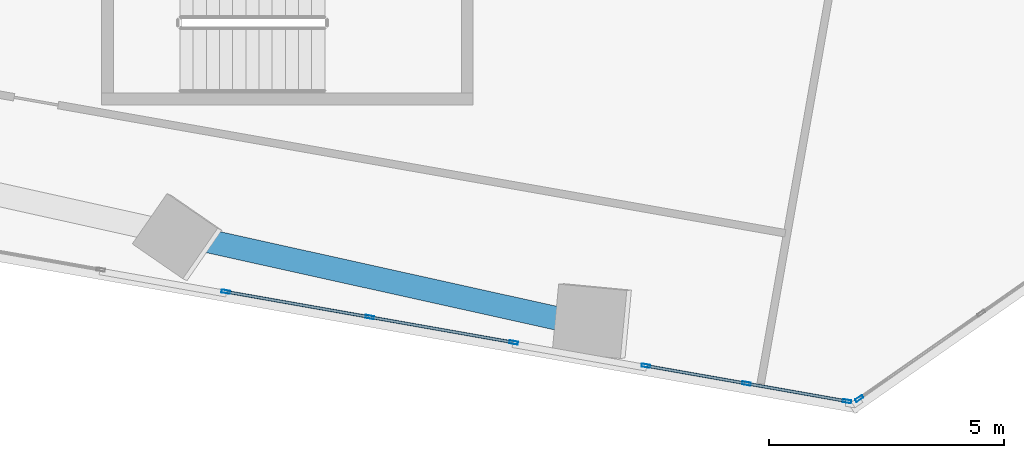
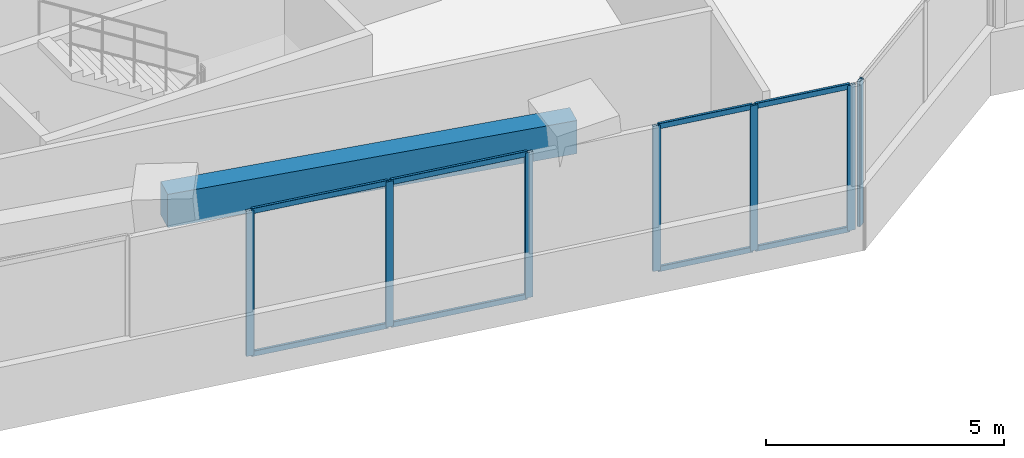
# One storey, part 4 of 24: 15 members, 1 beam, 3 elements without a shape of their own.
"""IFC4 building model written with IfcOpenShell, lengths in metres."""

import ifcopenshell
import ifcopenshell.guid

model = None  # the IFC model being written
_history = None  # IfcOwnerHistory: only IFC2X3 demands one
_inside = {}  # id of a spatial element -> (the spatial element, [elements in it])
_under = {}  # id of a project, library or spatial element -> (it, [spatial elements below it])
_declared = {}  # id of a project -> (the project, [libraries it declares])
_typed = {}  # id of a type object -> (the type object, [elements of that type])
_made_of = {}  # id of a material, layer set ... -> (it, [elements and type objects made of it])


def new_model(schema):
    """Start an empty IFC model of exactly this schema.

    Asked for "IFC4X3", IfcOpenShell would pick the latest addendum, in which some entities
    have other attributes; the version numbers below select the first issue.
    IFC2X3 requires an IfcOwnerHistory on every rooted entity: one is made here for all.
    """
    global model, _history
    if schema == "IFC4X3":
        model = ifcopenshell.file(schema_version=(4, 3, 0, 0))
    else:
        model = ifcopenshell.file(schema=schema)
    _inside.clear()
    _under.clear()
    _declared.clear()
    _typed.clear()
    _made_of.clear()
    _history = None
    if model.schema == "IFC2X3":
        org = make("IfcOrganization", Name="unknown")
        user = make(
            "IfcPersonAndOrganization",
            ThePerson=make("IfcPerson", FamilyName="unknown"),
            TheOrganization=org,
        )
        app = make(
            "IfcApplication",
            ApplicationDeveloper=org,
            Version="unknown",
            ApplicationFullName="unknown",
            ApplicationIdentifier="unknown",
        )
        _history = make(
            "IfcOwnerHistory",
            OwningUser=user,
            OwningApplication=app,
            ChangeAction="ADDED",
            CreationDate=0,
        )
    return model


def make(cls, **values):
    """One entity of the class cls with the attributes given. An attribute that is None is left unset."""
    return model.create_entity(
        cls, **{name: value for name, value in values.items() if value is not None}
    )


def rooted(cls, **values):
    """An entity with a GlobalId (a new one), such as an element, a storey or a relation."""
    return make(cls, GlobalId=ifcopenshell.guid.new(), OwnerHistory=_history, **values)


def si_unit(unit_type, name, prefix=None):
    """IfcSIUnit, for example si_unit("LENGTHUNIT", "METRE", prefix="MILLI")."""
    return make("IfcSIUnit", UnitType=unit_type, Prefix=prefix, Name=name)


def assignment(units):
    """IfcUnitAssignment: the units of a project."""
    return None if units is None else make("IfcUnitAssignment", Units=units)


def point(xyz):
    """IfcCartesianPoint."""
    return None if xyz is None else make("IfcCartesianPoint", Coordinates=xyz)


def direction(xyz):
    """IfcDirection."""
    return None if xyz is None else make("IfcDirection", DirectionRatios=xyz)


def frame(location, z_axis=None, x_axis=None):
    """IfcAxis2Placement3D, a coordinate frame: its origin and axes. An axis left out is left unset."""
    return make(
        "IfcAxis2Placement3D",
        Location=point(location),
        Axis=direction(z_axis),
        RefDirection=direction(x_axis),
    )


def frame_2d(location, x_axis=None):
    """IfcAxis2Placement2D, a coordinate frame in the plane: its origin and x axis."""
    return make(
        "IfcAxis2Placement2D", Location=point(location), RefDirection=direction(x_axis)
    )


def origin():
    """The frame at (0, 0, 0) with its axes left unset."""
    return frame((0.0, 0.0, 0.0))


def origin_2d():
    """The frame at (0, 0) in the plane with its x axis left unset."""
    return frame_2d((0.0, 0.0))


def place(relative_to, where):
    """IfcLocalPlacement: puts the frame where relative to a parent placement (None: the world)."""
    return make(
        "IfcLocalPlacement", PlacementRelTo=relative_to, RelativePlacement=where
    )


def context(
    kind, dimensions, precision=None, world=None, true_north=None, identifier=None
):
    """IfcGeometricRepresentationContext, for example the 3D "Model" context."""
    return make(
        "IfcGeometricRepresentationContext",
        ContextIdentifier=identifier,
        ContextType=kind,
        CoordinateSpaceDimension=dimensions,
        Precision=precision,
        WorldCoordinateSystem=world,
        TrueNorth=true_north,
    )


def subcontext(parent, identifier, kind, view, scale=None):
    """IfcGeometricRepresentationSubContext, for example "Body" below "Model"."""
    return make(
        "IfcGeometricRepresentationSubContext",
        ContextIdentifier=identifier,
        ContextType=kind,
        ParentContext=parent,
        TargetScale=scale,
        TargetView=view,
    )


def project(units=None, contexts=None):
    """IfcProject with its units and contexts."""
    return rooted(
        "IfcProject",
        Name="project",
        RepresentationContexts=contexts,
        UnitsInContext=assignment(units),
    )


def spatial(cls, under=None, at=None, **own):
    """A site, building, storey or space (cls), placed at a placement, below another one or the project."""
    s = rooted(cls, ObjectPlacement=at, **own)
    if under is not None:
        _under.setdefault(under.id(), (under, []))[1].append(s)
    return s


def profile(cls, at=None, kind="AREA", **sizes):
    """A parametric profile (cls). Its sizes go by their IFC names, for example OverallWidth=200.0."""
    return make(cls, ProfileType=kind, Position=at, **sizes)


def rectangle(**sizes):
    """IfcRectangleProfileDef."""
    return profile("IfcRectangleProfileDef", **sizes)


def hollow_rectangle(**sizes):
    """IfcRectangleHollowProfileDef."""
    return profile("IfcRectangleHollowProfileDef", **sizes)


def extrude(swept, where, along, depth):
    """IfcExtrudedAreaSolid: the profile swept, set in the frame where, extruded along a direction by depth."""
    return make(
        "IfcExtrudedAreaSolid",
        SweptArea=swept,
        Position=where,
        ExtrudedDirection=direction(along),
        Depth=depth,
    )


def shape(context_of_items, identifier, shape_type, items):
    """IfcShapeRepresentation: the items that make up one representation, for example the "Body"."""
    return make(
        "IfcShapeRepresentation",
        ContextOfItems=context_of_items,
        RepresentationIdentifier=identifier,
        RepresentationType=shape_type,
        Items=items,
    )


def source(mapping_origin, context_of_items, identifier, shape_type, items):
    """IfcRepresentationMap: a shape defined once, which mapped items show again and again."""
    return make(
        "IfcRepresentationMap",
        MappingOrigin=mapping_origin,
        MappedRepresentation=shape(context_of_items, identifier, shape_type, items),
    )


def transform(
    local_origin,
    x_axis=None,
    y_axis=None,
    z_axis=None,
    scale=None,
    scale2=None,
    scale3=None,
    uniform=True,
):
    """IfcCartesianTransformationOperator3D, or its non-uniform kind. x_axis, y_axis, z_axis: its Axis1, 2, 3."""
    if uniform:
        return make(
            "IfcCartesianTransformationOperator3D",
            Axis1=direction(x_axis),
            Axis2=direction(y_axis),
            LocalOrigin=point(local_origin),
            Scale=scale,
            Axis3=direction(z_axis),
        )
    return make(
        "IfcCartesianTransformationOperator3DnonUniform",
        Axis1=direction(x_axis),
        Axis2=direction(y_axis),
        LocalOrigin=point(local_origin),
        Scale=scale,
        Axis3=direction(z_axis),
        Scale2=scale2,
        Scale3=scale3,
    )


def mapped(mapping_source, mapping_target):
    """IfcMappedItem: shows the shape of a source again, moved by a transform."""
    return make(
        "IfcMappedItem", MappingSource=mapping_source, MappingTarget=mapping_target
    )


def material(Name=None, Category=None):
    """IfcMaterial."""
    return make("IfcMaterial", Name=Name, Category=Category)


def material_profile(
    of_material, cross_section, Name=None, Category=None, Priority=None
):
    """IfcMaterialProfile: a cross section and its material."""
    return make(
        "IfcMaterialProfile",
        Name=Name,
        Material=of_material,
        Profile=cross_section,
        Priority=Priority,
        Category=Category,
    )


def profile_set(profiles, Name=None, composite=None):
    """IfcMaterialProfileSet."""
    return make(
        "IfcMaterialProfileSet",
        Name=Name,
        MaterialProfiles=profiles,
        CompositeProfile=composite,
    )


def made_of(thing, what):
    """Note that an element or type object is made of a material, layer set ...; save() writes the relation."""
    if what is not None:
        _made_of.setdefault(what.id(), (what, []))[1].append(thing)
    return thing


def type_object(cls, material=None, **own):
    """A type object (cls), such as IfcWallType, which elements share."""
    return made_of(rooted(cls, **own), material)


def element(
    cls,
    number,
    at=None,
    inside=None,
    cuts=None,
    type_object=None,
    material=None,
    context=None,
    identifier="Body",
    shape_type=None,
    held_by="IfcProductDefinitionShape",
    body=None,
    shapes=None,
    **own,
):
    """One element of the class cls, such as IfcWall. Its Tag is "e" and its number.

    at: its placement. inside: the storey or other place that contains it. cuts: it is an
    opening in that element (IfcRelVoidsElement). A single representation is given by context,
    identifier, shape_type and body (its items); several are given by shapes. held_by: the class
    of the entity that holds the representations. save() writes the other relations.
    """
    e = rooted(cls, Tag="e%d" % number, ObjectPlacement=at, **own)
    if body is not None:
        shapes = [shape(context, identifier, shape_type, body)]
    if shapes is not None:
        e.Representation = make(held_by, Representations=shapes)
    if inside is not None:
        _inside.setdefault(inside.id(), (inside, []))[1].append(e)
    if cuts is not None:
        rooted(
            "IfcRelVoidsElement", RelatingBuildingElement=cuts, RelatedOpeningElement=e
        )
    if type_object is not None:
        _typed.setdefault(type_object.id(), (type_object, []))[1].append(e)
    return made_of(e, material)


def aggregate(whole, parts):
    """IfcRelAggregates: a whole, such as a stair, and the parts it consists of."""
    return rooted("IfcRelAggregates", RelatingObject=whole, RelatedObjects=parts)


def save(model, path):
    """Write the relations noted so far, then the file.

    IfcRelAggregates (storeys below a building ...), IfcRelContainedInSpatialStructure (elements
    in a storey), IfcRelDefinesByType, IfcRelAssociatesMaterial and IfcRelDeclares: one each for
    every whole, place, type object, material and project.
    """
    for whole, parts in _under.values():
        aggregate(whole, parts)
    for where, things in _inside.values():
        rooted(
            "IfcRelContainedInSpatialStructure",
            RelatedElements=things,
            RelatingStructure=where,
        )
    for kind, things in _typed.values():
        rooted("IfcRelDefinesByType", RelatedObjects=things, RelatingType=kind)
    for what, things in _made_of.values():
        rooted("IfcRelAssociatesMaterial", RelatedObjects=things, RelatingMaterial=what)
    for by, libraries in _declared.values():
        rooted("IfcRelDeclares", RelatingContext=by, RelatedDefinitions=libraries)
    model.write(path)


model = new_model("IFC4")

# Units and contexts
model_context = context("Model", 3, precision=1e-05, world=origin(), true_north=direction((0.0, 1.0)))
body_context = subcontext(model_context, "Body", "Model", "MODEL_VIEW")
ifc_project = project(units=[si_unit("LENGTHUNIT", "METRE"), si_unit("AREAUNIT", "SQUARE_METRE"), si_unit("VOLUMEUNIT", "CUBIC_METRE"), si_unit("PLANEANGLEUNIT", "RADIAN"), si_unit("MASSUNIT", "GRAM", prefix="KILO")], contexts=[model_context])

# Site, building, storey
site_placement = place(None, origin())
site = spatial("IfcSite", under=ifc_project, at=site_placement, CompositionType="ELEMENT")
building_placement = place(site_placement, origin())
building = spatial("IfcBuilding", under=site, at=building_placement, Name="Torre Montelarca", CompositionType="ELEMENT")
storey_placement = place(building_placement, frame((0.0, 0.0, 83.199951171875)))
storey = spatial("IfcBuildingStorey", under=building, at=storey_placement, Name="L18", CompositionType="ELEMENT", Elevation=83.199951171875)

# Beam
ifc_material_1 = material(Name="Concrete C55/67", Category="concrete")
ifc_material_profile_1 = material_profile(ifc_material_1, rectangle(XDim=0.5, YDim=0.85009765625, at=origin_2d()), Name="RCB500X850", Category="concrete")
ifc_profile_set_1 = profile_set([ifc_material_profile_1], Name="Concrete C55/67")
beam_type = type_object("IfcBeamType", Name="BM-SP-RC850-EXT", PredefinedType="SPANDREL", material=ifc_profile_set_1)
shared_shape_1 = source(origin(), body_context, "Body", "SweptSolid", [
    extrude(rectangle(XDim=0.5, YDim=0.85009765625, at=origin_2d()), origin(), (0.0, 0.0, 1.0), 9.000244140625),
])
beam_placement = place(storey_placement, frame((14.360107421875, 15.965087890625, 3.53515625), z_axis=(0.976301811041, -0.216413432483, 0.0), x_axis=(0.216413432483, 0.976301811041, 0.0)))
element("IfcBeam", 1, at=beam_placement, inside=storey, type_object=beam_type, Name="L18 Grid Girder X 18.0-27.0 at Y=14.8", PredefinedType="SPANDREL", context=body_context, shape_type="MappedRepresentation", body=[
    mapped(shared_shape_1, transform((0.0, 0.0, 0.0), scale=1.0)),
])

# Curtain wall, members
ifc_material_2 = material(Name="Insulated low-E laminated glass", Category="glass")
curtain_wall_type = type_object("IfcCurtainWallType", Name="CW-SYS-Z1", PredefinedType="USERDEFINED", material=ifc_material_2)
curtain_wall_1_placement = place(storey_placement, origin())
curtain_wall_1 = element("IfcCurtainWall", 2, at=curtain_wall_1_placement, inside=storey, type_object=curtain_wall_type, Name="L18 Curtain Wall Run CW-T3-L18-E01-B2", ObjectType="UNITISED GLAZING", PredefinedType="USERDEFINED")
ifc_material_3 = material(Name="Anodised aluminium AA 6063-T6", Category="aluminium")
ifc_material_profile_2 = material_profile(ifc_material_3, hollow_rectangle(XDim=0.06494140625, YDim=0.139892578125, WallThickness=0.00390625, InnerFilletRadius=0.00390625, OuterFilletRadius=0.008056640625, at=origin_2d()), Name="ALU65X140X4", Category="aluminium")
ifc_profile_set_2 = profile_set([ifc_material_profile_2], Name="Anodised aluminium AA 6063-T6")
member_type_1 = type_object("IfcMemberType", Name="CWT-ALU140", PredefinedType="USERDEFINED", material=ifc_profile_set_2)
shared_shape_2 = source(origin(), body_context, "Body", "SweptSolid", [
    extrude(hollow_rectangle(XDim=0.06494140625, YDim=0.139892578125, WallThickness=0.00390625, InnerFilletRadius=0.00390625, OuterFilletRadius=0.008056640625, at=origin_2d()), origin(), (0.0, 0.0, 1.0), 3.04443359375),
])
member_1_placement = place(storey_placement, frame((15.7236328125, 14.669921875, 0.032470703125), z_axis=(0.984798087406, -0.173702985124, 0.0), x_axis=(0.173702985124, 0.984798087406, 0.0)))
member_1 = element("IfcMember", 3, at=member_1_placement, type_object=member_type_1, Name="CW transom 1.1", ObjectType="TRANSOM", PredefinedType="USERDEFINED", context=body_context, shape_type="MappedRepresentation", body=[
    mapped(shared_shape_2, transform((0.0, 0.0, 0.0), scale=1.0)),
])
member_2_placement = place(storey_placement, frame((15.7236328125, 14.669921875, 3.6875), z_axis=(0.984798087406, -0.173702985124, 0.0), x_axis=(0.173702985124, 0.984798087406, 0.0)))
member_2 = element("IfcMember", 4, at=member_2_placement, type_object=member_type_1, Name="CW transom 1.2", ObjectType="TRANSOM", PredefinedType="USERDEFINED", context=body_context, shape_type="MappedRepresentation", body=[
    mapped(shared_shape_2, transform((0.0, 0.0, 0.0), scale=1.0)),
])

curtain_wall_2_placement = place(storey_placement, origin())
curtain_wall_2 = element("IfcCurtainWall", 5, at=curtain_wall_2_placement, inside=storey, type_object=curtain_wall_type, Name="L18 Curtain Wall Run CW-T3-L18-E01-B3", ObjectType="UNITISED GLAZING", PredefinedType="USERDEFINED")
shared_shape_3 = source(origin(), body_context, "Body", "SweptSolid", [
    extrude(hollow_rectangle(XDim=0.06494140625, YDim=0.139892578125, WallThickness=0.00390625, InnerFilletRadius=0.00390625, OuterFilletRadius=0.008056640625, at=origin_2d()), origin(), (0.0, 0.0, 1.0), 2.10546875),
])
member_3_placement = place(storey_placement, frame((24.658447265625, 13.09423828125, 0.032470703125), z_axis=(0.984818559242, -0.173586881336, 0.0), x_axis=(0.173586881336, 0.984818559242, 0.0)))
member_3 = element("IfcMember", 6, at=member_3_placement, type_object=member_type_1, Name="CW transom 1.1", ObjectType="TRANSOM", PredefinedType="USERDEFINED", context=body_context, shape_type="MappedRepresentation", body=[
    mapped(shared_shape_3, transform((0.0, 0.0, 0.0), scale=1.0)),
])
member_4_placement = place(storey_placement, frame((24.658447265625, 13.09423828125, 3.6875), z_axis=(0.984818559242, -0.173586881336, 0.0), x_axis=(0.173586881336, 0.984818559242, 0.0)))
member_4 = element("IfcMember", 7, at=member_4_placement, type_object=member_type_1, Name="CW transom 1.2", ObjectType="TRANSOM", PredefinedType="USERDEFINED", context=body_context, shape_type="MappedRepresentation", body=[
    mapped(shared_shape_3, transform((0.0, 0.0, 0.0), scale=1.0)),
])
shared_shape_4 = source(origin(), body_context, "Body", "SweptSolid", [
    extrude(hollow_rectangle(XDim=0.06494140625, YDim=0.139892578125, WallThickness=0.00390625, InnerFilletRadius=0.00390625, OuterFilletRadius=0.008056640625, at=origin_2d()), origin(), (0.0, 0.0, 1.0), 2.105224609375),
])
member_5_placement = place(storey_placement, frame((26.7958984375, 12.717529296875, 0.032470703125), z_axis=(0.984795231167, -0.173719177613, 0.0), x_axis=(0.173719177613, 0.984795231167, 0.0)))
member_5 = element("IfcMember", 8, at=member_5_placement, type_object=member_type_1, Name="CW transom 2.1", ObjectType="TRANSOM", PredefinedType="USERDEFINED", context=body_context, shape_type="MappedRepresentation", body=[
    mapped(shared_shape_4, transform((0.0, 0.0, 0.0), scale=1.0)),
])
member_6_placement = place(storey_placement, frame((26.7958984375, 12.717529296875, 3.6875), z_axis=(0.984795231167, -0.173719177613, 0.0), x_axis=(0.173719177613, 0.984795231167, 0.0)))
member_6 = element("IfcMember", 9, at=member_6_placement, type_object=member_type_1, Name="CW transom 2.2", ObjectType="TRANSOM", PredefinedType="USERDEFINED", context=body_context, shape_type="MappedRepresentation", body=[
    mapped(shared_shape_4, transform((0.0, 0.0, 0.0), scale=1.0)),
])

# Member
ifc_material_profile_3 = material_profile(ifc_material_3, hollow_rectangle(XDim=0.06494140625, YDim=0.179931640625, WallThickness=0.00390625, InnerFilletRadius=0.00390625, OuterFilletRadius=0.008056640625, at=origin_2d()), Name="ALU65X180X4", Category="aluminium")
ifc_profile_set_3 = profile_set([ifc_material_profile_3], Name="Anodised aluminium AA 6063-T6")
member_type_2 = type_object("IfcMemberType", Name="CWM-ALU180", PredefinedType="MULLION", material=ifc_profile_set_3)
shared_shape_5 = source(origin(), body_context, "Body", "SweptSolid", [
    extrude(hollow_rectangle(XDim=0.06494140625, YDim=0.179931640625, WallThickness=0.00390625, InnerFilletRadius=0.00390625, OuterFilletRadius=0.008056640625, at=origin_2d()), origin(), (0.0, 0.0, 1.0), 3.719970703125),
])
member_7_placement = place(storey_placement, frame((15.69140625, 14.675537109375, 0.0), z_axis=(0.0, 0.0, 1.0), x_axis=(0.173650973145, 0.98480726009, 0.0)))
member_7 = element("IfcMember", 10, at=member_7_placement, type_object=member_type_2, Name="CW mullion 1", PredefinedType="MULLION", context=body_context, shape_type="MappedRepresentation", body=[
    mapped(shared_shape_5, transform((0.0, 0.0, 0.0), scale=1.0)),
])

member_8_placement = place(storey_placement, frame((18.753662109375, 14.135498046875, 0.0), z_axis=(0.0, 0.0, 1.0), x_axis=(0.173650973145, 0.98480726009, 0.0)))
member_8 = element("IfcMember", 11, at=member_8_placement, type_object=member_type_2, Name="CW mullion 2", PredefinedType="MULLION", context=body_context, shape_type="MappedRepresentation", body=[
    mapped(shared_shape_5, transform((0.0, 0.0, 0.0), scale=1.0)),
])

member_9_placement = place(storey_placement, frame((21.81591796875, 13.595458984375, 0.0), z_axis=(0.0, 0.0, 1.0), x_axis=(0.173650973145, 0.98480726009, 0.0)))
member_9 = element("IfcMember", 12, at=member_9_placement, type_object=member_type_2, Name="CW mullion 3", PredefinedType="MULLION", context=body_context, shape_type="MappedRepresentation", body=[
    mapped(shared_shape_5, transform((0.0, 0.0, 0.0), scale=1.0)),
])

member_10_placement = place(storey_placement, frame((24.62646484375, 13.099853515625, 0.0), z_axis=(0.0, 0.0, 1.0), x_axis=(0.173641601877, 0.984808912479, 0.0)))
member_10 = element("IfcMember", 13, at=member_10_placement, type_object=member_type_2, Name="CW mullion 1", PredefinedType="MULLION", context=body_context, shape_type="MappedRepresentation", body=[
    mapped(shared_shape_5, transform((0.0, 0.0, 0.0), scale=1.0)),
])

member_11_placement = place(storey_placement, frame((26.763916015625, 12.72314453125, 0.0), z_axis=(0.0, 0.0, 1.0), x_axis=(0.173641601877, 0.984808912479, 0.0)))
member_11 = element("IfcMember", 14, at=member_11_placement, type_object=member_type_2, Name="CW mullion 2", PredefinedType="MULLION", context=body_context, shape_type="MappedRepresentation", body=[
    mapped(shared_shape_5, transform((0.0, 0.0, 0.0), scale=1.0)),
])

member_12_placement = place(storey_placement, frame((28.901123046875, 12.34619140625, 0.0), z_axis=(0.0, 0.0, 1.0), x_axis=(0.173641601877, 0.984808912479, 0.0)))
member_12 = element("IfcMember", 15, at=member_12_placement, type_object=member_type_2, Name="CW mullion 3", PredefinedType="MULLION", context=body_context, shape_type="MappedRepresentation", body=[
    mapped(shared_shape_5, transform((0.0, 0.0, 0.0), scale=1.0)),
])

aggregate(curtain_wall_2, [member_10, member_11, member_12, member_3, member_4, member_5, member_6])

# Curtain wall, member
curtain_wall_3_placement = place(storey_placement, origin())
curtain_wall_3 = element("IfcCurtainWall", 16, at=curtain_wall_3_placement, inside=storey, type_object=curtain_wall_type, Name="L18 Curtain Wall Run CW-T3-L18-E02-B1", ObjectType="UNITISED GLAZING", PredefinedType="USERDEFINED")
member_13_placement = place(storey_placement, frame((29.161865234375, 12.404052734375, 0.0), z_axis=(0.0, 0.0, 1.0), x_axis=(-0.573560911072, 0.819162914987, 0.0)))
member_13 = element("IfcMember", 17, at=member_13_placement, type_object=member_type_2, Name="CW mullion 1", PredefinedType="MULLION", context=body_context, shape_type="MappedRepresentation", body=[
    mapped(shared_shape_5, transform((0.0, 0.0, 0.0), scale=1.0)),
])
aggregate(curtain_wall_3, [member_13])

# Member
shared_shape_6 = source(origin(), body_context, "Body", "SweptSolid", [
    extrude(hollow_rectangle(XDim=0.06494140625, YDim=0.139892578125, WallThickness=0.00390625, InnerFilletRadius=0.00390625, OuterFilletRadius=0.008056640625, at=origin_2d()), origin(), (0.0, 0.0, 1.0), 3.044677734375),
])
member_14_placement = place(storey_placement, frame((18.78564453125, 14.1298828125, 0.032470703125), z_axis=(0.98480050683, -0.173689267795, 0.0), x_axis=(0.173689267795, 0.98480050683, 0.0)))
member_14 = element("IfcMember", 18, at=member_14_placement, type_object=member_type_1, Name="CW transom 2.1", ObjectType="TRANSOM", PredefinedType="USERDEFINED", context=body_context, shape_type="MappedRepresentation", body=[
    mapped(shared_shape_6, transform((0.0, 0.0, 0.0), scale=1.0)),
])

member_15_placement = place(storey_placement, frame((18.78564453125, 14.1298828125, 3.6875), z_axis=(0.98480050683, -0.173689267795, 0.0), x_axis=(0.173689267795, 0.98480050683, 0.0)))
member_15 = element("IfcMember", 19, at=member_15_placement, type_object=member_type_1, Name="CW transom 2.2", ObjectType="TRANSOM", PredefinedType="USERDEFINED", context=body_context, shape_type="MappedRepresentation", body=[
    mapped(shared_shape_6, transform((0.0, 0.0, 0.0), scale=1.0)),
])

aggregate(curtain_wall_1, [member_7, member_8, member_9, member_1, member_2, member_14, member_15])

save(model, "model.ifc")
